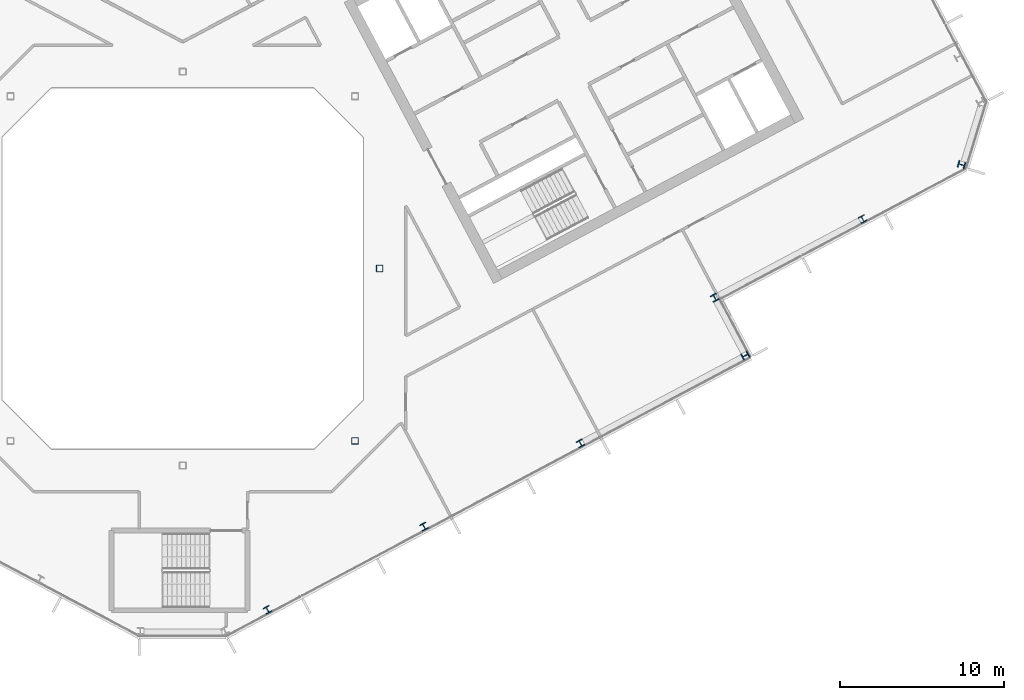
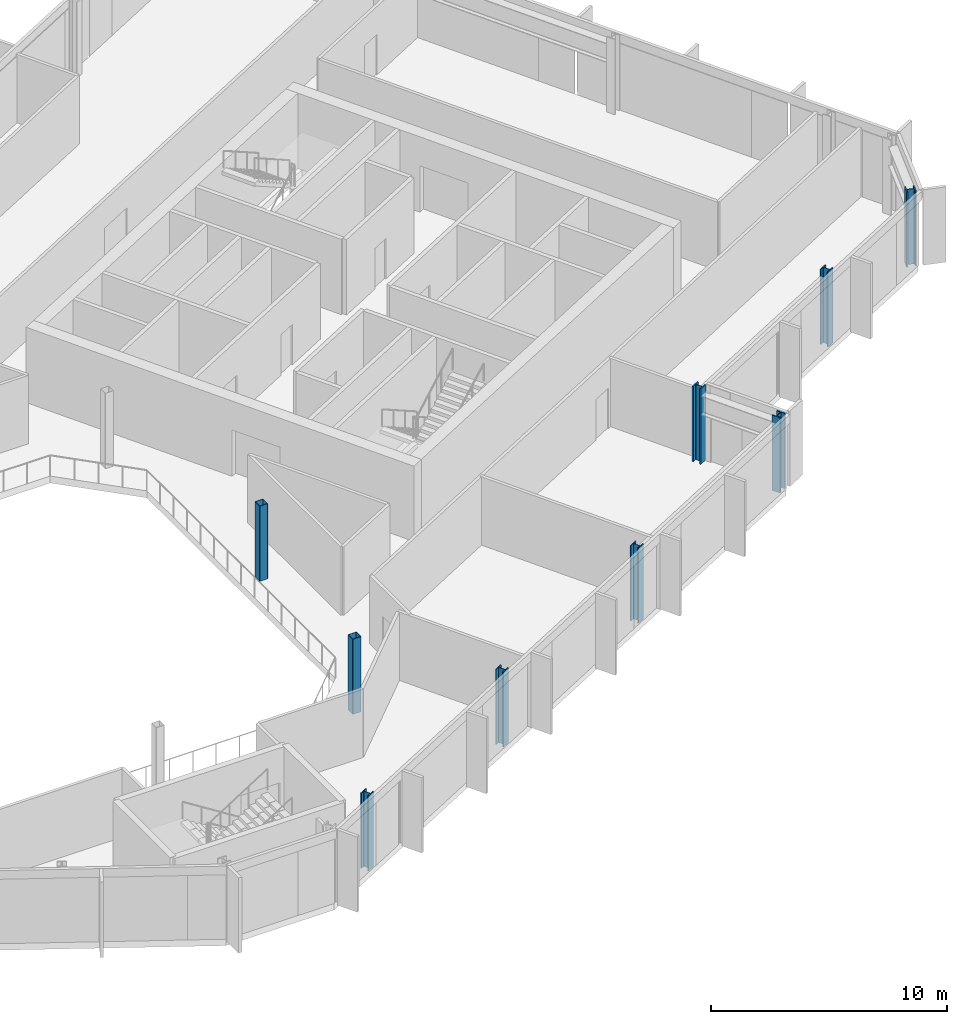
# One storey, part 5 of 27: 9 columns.
"""IFC4 building model written with IfcOpenShell, lengths in metres."""

from ifc_helpers import new_model, si_unit, direction, frame, origin, origin_2d, place, context, subcontext, project, spatial, hollow_rectangle, i_section, extrude, material, material_profile, profile_set, type_object, element, save


model = new_model("IFC4")

# Units and contexts
model_context = context("Model", 3, precision=1e-05, world=origin(), true_north=direction((0.0, 1.0)))
body_context = subcontext(model_context, "Body", "Model", "MODEL_VIEW")
ifc_project = project(units=[si_unit("LENGTHUNIT", "METRE"), si_unit("AREAUNIT", "SQUARE_METRE"), si_unit("VOLUMEUNIT", "CUBIC_METRE"), si_unit("PLANEANGLEUNIT", "RADIAN"), si_unit("MASSUNIT", "GRAM", prefix="KILO")], contexts=[model_context])

# Site, building, storey
site_placement = place(None, origin())
site = spatial("IfcSite", under=ifc_project, at=site_placement, CompositionType="ELEMENT")
building_placement = place(site_placement, origin())
building = spatial("IfcBuilding", under=site, at=building_placement, Name="Cormorant Relay Tower", CompositionType="ELEMENT")
storey_placement = place(building_placement, frame((0.0, 0.0, 232.5)))
storey = spatial("IfcBuildingStorey", under=building, at=storey_placement, Name="L51", CompositionType="ELEMENT", Elevation=232.5)

# Columns
ifc_material_1 = material(Name="Steel ASTM A500 Grade C (Fy 345 MPa)", Category="steel")
ifc_material_profile_1 = material_profile(ifc_material_1, hollow_rectangle(XDim=0.406494140625, YDim=0.406494140625, WallThickness=0.0146484375, InnerFilletRadius=0.00732421875, OuterFilletRadius=0.022216796875, at=origin_2d()), Name="HSS406x406x15")
ifc_profile_set_1 = profile_set([ifc_material_profile_1], Name="Steel ASTM A500 Grade C (Fy 345 MPa)")
column_type_1 = type_object("IfcColumnType", Name="Column HSS406x406x15", PredefinedType="COLUMN", material=ifc_profile_set_1)
for number, where, z_axis, x_axis, name in (
    (1, (10.5, -10.5, 0.0), (0.0, 0.0, 1.0), (1.0, 0.0, 0.0), "Column L51-010"),
    (2, (12.0, 0.0, 0.0), (0.0, 0.0, 1.0), (1.0, 0.0, 0.0), "Column L51-016"),
):
    element("IfcColumn", number, at=place(storey_placement, frame(where, z_axis=z_axis, x_axis=x_axis)), inside=storey, type_object=column_type_1, Name=name, PredefinedType="COLUMN", context=body_context, shape_type="SweptSolid", body=[
        extrude(hollow_rectangle(XDim=0.406494140625, YDim=0.406494140625, WallThickness=0.0146484375, InnerFilletRadius=0.00732421875, OuterFilletRadius=0.022216796875, at=origin_2d()), origin(), (0.0, 0.0, 1.0), 3.89990234375),
    ])
ifc_material_2 = material(Name="Steel ASTM A992 (Fy 345 MPa)", Category="steel")
ifc_material_profile_2 = material_profile(ifc_material_2, i_section(OverallWidth=0.40380859375, OverallDepth=0.406494140625, WebThickness=0.027099609375, FlangeThickness=0.043701171875, FilletRadius=0.01513671875, at=origin_2d()), Name="W360x347")
ifc_profile_set_2 = profile_set([ifc_material_profile_2], Name="Steel ASTM A992 (Fy 345 MPa)")
column_type_2 = type_object("IfcColumnType", Name="Column W360x347", PredefinedType="COLUMN", material=ifc_profile_set_2)
for number, where, z_axis, x_axis, name in (
    (3, (5.1689453125, -20.798095703125, 0.0), (0.0, 0.0, 1.0), (0.882947592859, 0.469471562786, 0.0), "Column L51-003"),
    (4, (14.705078125, -15.72705078125, 0.0), (0.0, 0.0, 1.0), (0.882947592859, 0.469471562786, 0.0), "Column L51-005"),
    (5, (24.240966796875, -10.656982421875, 0.0), (0.0, 0.0, 1.0), (0.882947592859, 0.469471562786, 0.0), "Column L51-008"),
    (6, (41.43408203125, 3.014892578125, 0.0), (0.0, 0.0, 1.0), (0.882947592859, 0.469471562786, 0.0), "Column L51-019"),
):
    element("IfcColumn", number, at=place(storey_placement, frame(where, z_axis=z_axis, x_axis=x_axis)), inside=storey, type_object=column_type_2, Name=name, PredefinedType="COLUMN", context=body_context, shape_type="SweptSolid", body=[
        extrude(i_section(OverallWidth=0.40380859375, OverallDepth=0.406494140625, WebThickness=0.027099609375, FlangeThickness=0.043701171875, FilletRadius=0.01513671875, at=origin_2d()), origin(), (0.0, 0.0, 1.0), 3.89990234375),
    ])
ifc_material_3 = material(Name="Steel ASTM A992 (Fy 345 MPa)", Category="steel")
ifc_material_profile_3 = material_profile(ifc_material_3, i_section(OverallWidth=0.41162109375, OverallDepth=0.434326171875, WebThickness=0.035888671875, FlangeThickness=0.057373046875, FilletRadius=0.01513671875, at=origin_2d()), Name="W360x463")
ifc_profile_set_3 = profile_set([ifc_material_profile_3], Name="Steel ASTM A992 (Fy 345 MPa)")
column_type_3 = type_object("IfcColumnType", Name="Column W360x463", PredefinedType="COLUMN", material=ifc_profile_set_3)
for number, where, z_axis, x_axis, name in (
    (7, (34.284912109375, -5.305908203125, 0.0), (0.0, 0.0, 1.0), (-0.469471562786, 0.882947592859, 0.0), "Column L51-012"),
    (8, (32.4169921875, -1.777099609375, 0.0), (0.0, 0.0, 1.0), (0.882947592859, 0.469471562786, 0.0), "Column L51-014"),
    (9, (47.458984375, 6.325927734375, 0.0), (0.0, 0.0, 1.0), (0.292371704723, 0.956304755963, 0.0), "Column L51-020"),
):
    element("IfcColumn", number, at=place(storey_placement, frame(where, z_axis=z_axis, x_axis=x_axis)), inside=storey, type_object=column_type_3, Name=name, PredefinedType="COLUMN", context=body_context, shape_type="SweptSolid", body=[
        extrude(i_section(OverallWidth=0.41162109375, OverallDepth=0.434326171875, WebThickness=0.035888671875, FlangeThickness=0.057373046875, FilletRadius=0.01513671875, at=origin_2d()), origin(), (0.0, 0.0, 1.0), 3.89990234375),
    ])

save(model, "model.ifc")
